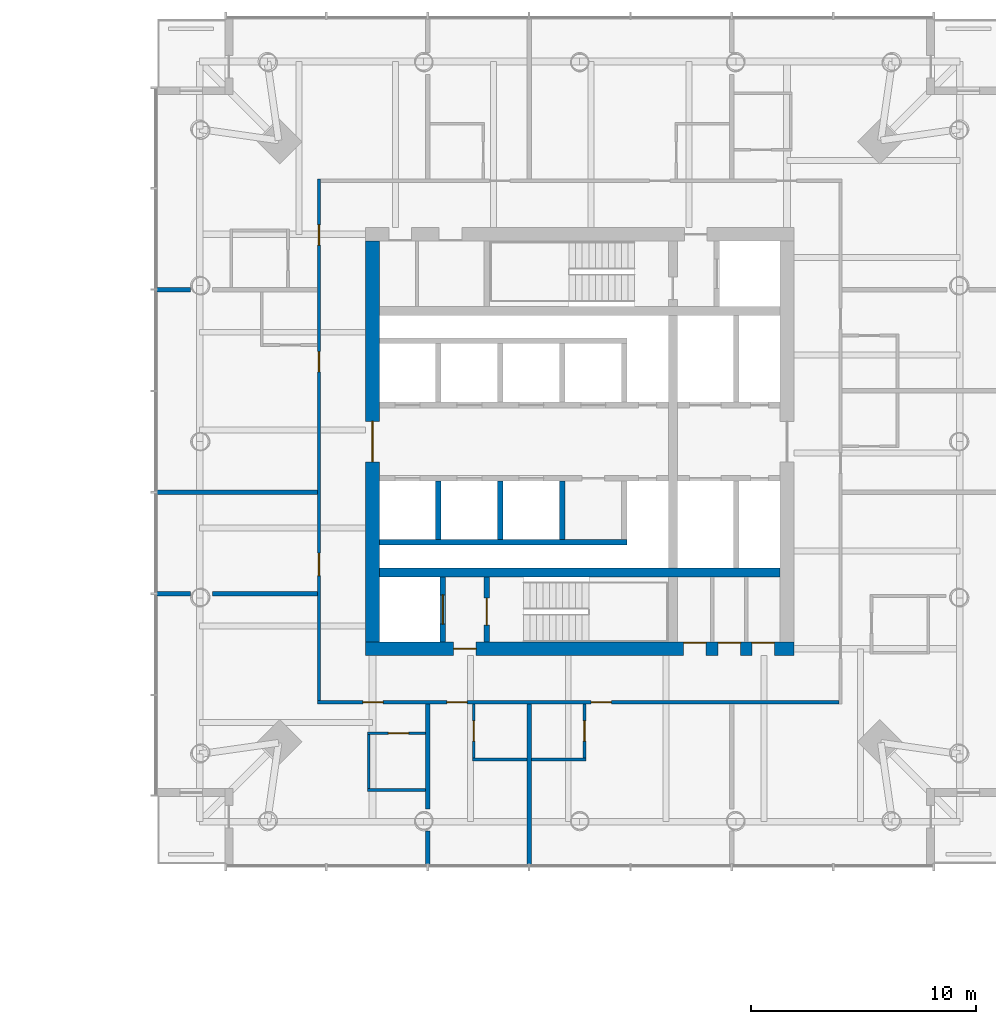
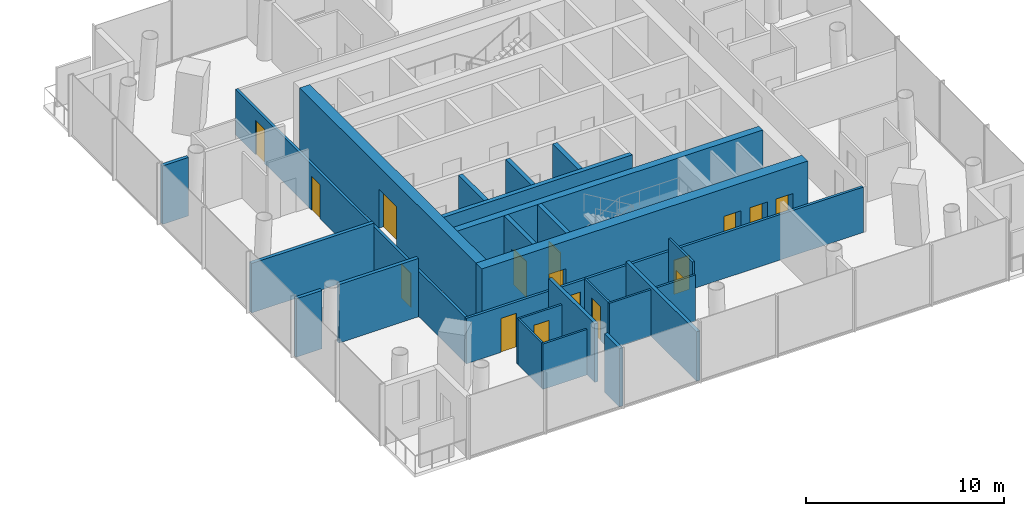
# One storey, part 12 of 18: 25 walls, 16 doors, 16 openings.
"""IFC4 building model written with IfcOpenShell, lengths in metres."""

from ifc_helpers import new_model, si_unit, direction, frame, frame_2d, origin, place, context, subcontext, project, spatial, rectangle, extrude, material, layer, layer_set, type_object, element, fill, save


model = new_model("IFC4")

# Units and contexts
model_context = context("Model", 3, precision=1e-05, world=origin(), true_north=direction((0.0, 1.0)))
body_context = subcontext(model_context, "Body", "Model", "MODEL_VIEW")
ifc_project = project(units=[si_unit("LENGTHUNIT", "METRE"), si_unit("AREAUNIT", "SQUARE_METRE"), si_unit("VOLUMEUNIT", "CUBIC_METRE"), si_unit("PLANEANGLEUNIT", "RADIAN"), si_unit("MASSUNIT", "GRAM", prefix="KILO")], contexts=[model_context])

# Site, building, storey
site_placement = place(None, origin())
site = spatial("IfcSite", under=ifc_project, at=site_placement, CompositionType="ELEMENT")
building_placement = place(site_placement, origin())
building = spatial("IfcBuilding", under=site, at=building_placement, Name="Ostroluk Exchange", CompositionType="ELEMENT")
storey_placement = place(building_placement, frame((0.0, 0.0, 70.39990234375)))
storey = spatial("IfcBuildingStorey", under=building, at=storey_placement, Name="L17", CompositionType="ELEMENT", Elevation=70.39990234375)

# Wall
ifc_material_1 = material(Name="Concrete C50/60", Category="concrete")
ifc_layer_1 = layer(ifc_material_1, 0.39990234375)
ifc_layer_set_1 = layer_set([ifc_layer_1], Name="Core cross wall 400 C50/60")
wall_type_1 = type_object("IfcWallType", Name="Core cross wall 400 C50/60", PredefinedType="SHEAR", material=ifc_layer_set_1)
wall_1_placement = place(storey_placement, frame((108.10009765625, 40.199951171875, 0.0), z_axis=(0.0, 0.0, 1.0), x_axis=(1.0, 0.0, 0.0)))
element("IfcWall", 1, at=wall_1_placement, inside=storey, type_object=wall_type_1, Name="T2 core wall XS", PredefinedType="SHEAR", context=body_context, shape_type="SweptSolid", body=[
    extrude(rectangle(XDim=17.7998046875, YDim=0.39990234375, at=frame_2d((8.89990234375, 0.0))), origin(), (0.0, 0.0, 1.0), 3.800048828125),
])

# Wall, opening, door
ifc_material_2 = material(Name="Concrete C40/50", Category="concrete")
ifc_layer_2 = layer(ifc_material_2, 0.25)
ifc_layer_set_2 = layer_set([ifc_layer_2], Name="Core shaft wall 250")
wall_type_2 = type_object("IfcWallType", Name="Core shaft wall 250", PredefinedType="SHEAR", material=ifc_layer_set_2)
wall_2_placement = place(storey_placement, frame((110.925048828125, 37.10009765625, 0.0), z_axis=(0.0, 0.0, 1.0), x_axis=(0.0, 1.0, 0.0)))
wall_2 = element("IfcWall", 2, at=wall_2_placement, inside=storey, type_object=wall_type_2, Name="Firefighting lift shaft wall", PredefinedType="SHEAR", context=body_context, shape_type="SweptSolid", body=[
    extrude(rectangle(XDim=2.89990234375, YDim=0.25, at=frame_2d((1.449951171875, 0.0))), origin(), (0.0, 0.0, 1.0), 3.800048828125),
])
opening_1_placement = place(wall_2_placement, frame((0.800048828125, 0.0, 0.0)))
opening_1 = element("IfcOpeningElement", 3, at=opening_1_placement, cuts=wall_2, Name="Opening LD2", PredefinedType="OPENING", context=body_context, shape_type="SweptSolid", body=[
    extrude(rectangle(XDim=1.300048828125, YDim=2.199951171875, at=frame_2d((0.64990234375, 1.10009765625))), frame((0.0, 0.135009765625, 0.0), z_axis=(0.0, -1.0, 0.0), x_axis=(1.0, 0.0, 0.0)), (0.0, 0.0, 1.0), 0.27001953125),
])
ifc_material_3 = material(Name="Stainless steel", Category="steel")
door_type_1 = type_object("IfcDoorType", Name="Lift landing door E 60 1300 x 2200", OperationType="DOUBLE_DOOR_SLIDING", PredefinedType="DOOR", material=ifc_material_3)
door_1_placement = place(opening_1_placement, origin())
door_1 = element("IfcDoor", 4, at=door_1_placement, inside=storey, type_object=door_type_1, Name="Lift HF1 landing door", OperationType="DOUBLE_DOOR_SLIDING", OverallHeight=2.199951171875, OverallWidth=1.300048828125, PredefinedType="DOOR", context=body_context, shape_type="SweptSolid", body=[
    extrude(rectangle(XDim=1.300048828125, YDim=2.199951171875, at=frame_2d((0.64990234375, 1.10009765625))), frame((0.0, 0.02490234375, 0.0), z_axis=(0.0, -1.0, 0.0), x_axis=(1.0, 0.0, 0.0)), (0.0, 0.0, 1.0), 0.050048828125),
])
fill(opening_1, door_1)

wall_3_placement = place(storey_placement, frame((112.875, 37.10009765625, 0.0), z_axis=(0.0, 0.0, 1.0), x_axis=(0.0, 1.0, 0.0)))
wall_3 = element("IfcWall", 5, at=wall_3_placement, inside=storey, type_object=wall_type_2, Name="Stair shaft wall", PredefinedType="SHEAR", context=body_context, shape_type="SweptSolid", body=[
    extrude(rectangle(XDim=2.89990234375, YDim=0.25, at=frame_2d((1.449951171875, 0.0))), origin(), (0.0, 0.0, 1.0), 3.800048828125),
])
opening_2_placement = place(wall_3_placement, frame((0.75, 0.0, 0.0)))
opening_2 = element("IfcOpeningElement", 6, at=opening_2_placement, cuts=wall_3, Name="Opening FD60S", PredefinedType="OPENING", context=body_context, shape_type="SweptSolid", body=[
    extrude(rectangle(XDim=1.199951171875, YDim=2.10009765625, at=frame_2d((0.60009765625, 1.050048828125))), frame((0.0, 0.135009765625, 0.0), z_axis=(0.0, -1.0, 0.0), x_axis=(1.0, 0.0, 0.0)), (0.0, 0.0, 1.0), 0.27001953125),
])
ifc_material_4 = material(Name="Steel", Category="steel")
door_type_2 = type_object("IfcDoorType", Name="Stair door EI 60 1200 x 2100", OperationType="SINGLE_SWING_LEFT", PredefinedType="DOOR", material=ifc_material_4)
door_2_placement = place(opening_2_placement, origin())
door_2 = element("IfcDoor", 7, at=door_2_placement, inside=storey, type_object=door_type_2, Name="Stair T2-S1 door", OperationType="SINGLE_SWING_LEFT", OverallHeight=2.10009765625, OverallWidth=1.199951171875, PredefinedType="DOOR", context=body_context, shape_type="SweptSolid", body=[
    extrude(rectangle(XDim=1.199951171875, YDim=2.10009765625, at=frame_2d((0.60009765625, 1.050048828125))), frame((0.0, 0.02490234375, 0.0), z_axis=(0.0, -1.0, 0.0), x_axis=(1.0, 0.0, 0.0)), (0.0, 0.0, 1.0), 0.050048828125),
])
fill(opening_2, door_2)

# Walls
for number, where, z_axis, x_axis, name in (
    (8, (110.72509765625, 44.25, 0.0), (0.0, 0.0, 1.0), (0.0, -1.0, 0.0), "Lift shaft wall"),
    (9, (113.47509765625, 44.25, 0.0), (0.0, 0.0, 1.0), (0.0, -1.0, 0.0), "Lift shaft wall"),
    (10, (116.22509765625, 44.25, 0.0), (0.0, 0.0, 1.0), (0.0, -1.0, 0.0), "Lift shaft wall"),
):
    element("IfcWall", number, at=place(storey_placement, frame(where, z_axis=z_axis, x_axis=x_axis)), inside=storey, type_object=wall_type_2, Name=name, PredefinedType="SHEAR", context=body_context, shape_type="SweptSolid", body=[
        extrude(rectangle(XDim=2.60009765625, YDim=0.25, at=frame_2d((1.300048828125, 0.0))), origin(), (0.0, 0.0, 1.0), 3.800048828125),
    ])
wall_4_placement = place(storey_placement, frame((108.10009765625, 41.52490234375, 0.0), z_axis=(0.0, 0.0, 1.0), x_axis=(1.0, 0.0, 0.0)))
element("IfcWall", 11, at=wall_4_placement, inside=storey, type_object=wall_type_2, Name="Lift shaft wall", PredefinedType="SHEAR", context=body_context, shape_type="SweptSolid", body=[
    extrude(rectangle(XDim=11.0, YDim=0.25, at=frame_2d((5.5, 0.0))), origin(), (0.0, 0.0, 1.0), 3.800048828125),
])

# Wall, openings, doors
ifc_material_5 = material(Name="Concrete C50/60", Category="concrete")
ifc_layer_3 = layer(ifc_material_5, 0.60009765625)
ifc_layer_set_3 = layer_set([ifc_layer_3], Name="Core wall 600 C50/60")
wall_type_3 = type_object("IfcWallType", Name="Core wall 600 C50/60", PredefinedType="SHEAR", material=ifc_layer_set_3)
wall_5_placement = place(storey_placement, frame((107.5, 36.800048828125, 0.0), z_axis=(0.0, 0.0, 1.0), x_axis=(1.0, 0.0, 0.0)))
wall_5 = element("IfcWall", 12, at=wall_5_placement, inside=storey, type_object=wall_type_3, Name="T2 core wall S", PredefinedType="SHEAR", context=body_context, shape_type="SweptSolid", body=[
    extrude(rectangle(XDim=19.0, YDim=0.60009765625, at=frame_2d((9.5, 0.0))), origin(), (0.0, 0.0, 1.0), 3.800048828125),
])
opening_3_placement = place(wall_5_placement, frame((3.89990234375, 0.0, 0.0)))
opening_3 = element("IfcOpeningElement", 13, at=opening_3_placement, cuts=wall_5, Name="Opening FD60", PredefinedType="OPENING", context=body_context, shape_type="SweptSolid", body=[
    extrude(rectangle(XDim=1.0, YDim=2.10009765625, at=frame_2d((0.5, 1.050048828125))), frame((0.0, 0.31005859375, 0.0), z_axis=(0.0, -1.0, 0.0), x_axis=(1.0, 0.0, 0.0)), (0.0, 0.0, 1.0), 0.6201171875),
])
opening_4_placement = place(wall_5_placement, frame((14.10693359375, 0.0, 0.0)))
opening_4 = element("IfcOpeningElement", 14, at=opening_4_placement, cuts=wall_5, Name="Opening FD60", PredefinedType="OPENING", context=body_context, shape_type="SweptSolid", body=[
    extrude(rectangle(XDim=1.0, YDim=2.10009765625, at=frame_2d((0.5, 1.050048828125))), frame((0.0, 0.31005859375, 0.0), z_axis=(0.0, -1.0, 0.0), x_axis=(1.0, 0.0, 0.0)), (0.0, 0.0, 1.0), 0.6201171875),
])
opening_5_placement = place(wall_5_placement, frame((15.637939453125, 0.0, 0.0)))
opening_5 = element("IfcOpeningElement", 15, at=opening_5_placement, cuts=wall_5, Name="Opening FD60", PredefinedType="OPENING", context=body_context, shape_type="SweptSolid", body=[
    extrude(rectangle(XDim=1.0, YDim=2.10009765625, at=frame_2d((0.5, 1.050048828125))), frame((0.0, 0.31005859375, 0.0), z_axis=(0.0, -1.0, 0.0), x_axis=(1.0, 0.0, 0.0)), (0.0, 0.0, 1.0), 0.6201171875),
])
opening_6_placement = place(wall_5_placement, frame((17.141845703125, 0.0, 0.0)))
opening_6 = element("IfcOpeningElement", 16, at=opening_6_placement, cuts=wall_5, Name="Opening FD60", PredefinedType="OPENING", context=body_context, shape_type="SweptSolid", body=[
    extrude(rectangle(XDim=1.0, YDim=2.10009765625, at=frame_2d((0.5, 1.050048828125))), frame((0.0, 0.31005859375, 0.0), z_axis=(0.0, -1.0, 0.0), x_axis=(1.0, 0.0, 0.0)), (0.0, 0.0, 1.0), 0.6201171875),
])
ifc_material_6 = material(Name="Steel", Category="steel")
door_type_3 = type_object("IfcDoorType", Name="Fire door EI 60 1000 x 2100", OperationType="SINGLE_SWING_LEFT", PredefinedType="DOOR", material=ifc_material_6)
door_3_placement = place(opening_3_placement, origin())
door_3 = element("IfcDoor", 17, at=door_3_placement, inside=storey, type_object=door_type_3, Name="Firefighting lobby door", OperationType="SINGLE_SWING_LEFT", OverallHeight=2.10009765625, OverallWidth=1.0, PredefinedType="DOOR", context=body_context, shape_type="SweptSolid", body=[
    extrude(rectangle(XDim=1.0, YDim=2.10009765625, at=frame_2d((0.5, 1.050048828125))), frame((0.0, 0.02490234375, 0.0), z_axis=(0.0, -1.0, 0.0), x_axis=(1.0, 0.0, 0.0)), (0.0, 0.0, 1.0), 0.050048828125),
])
fill(opening_3, door_3)
door_4_placement = place(opening_4_placement, origin())
door_4 = element("IfcDoor", 18, at=door_4_placement, inside=storey, type_object=door_type_3, Name="Linen store door", OperationType="SINGLE_SWING_RIGHT", OverallHeight=2.10009765625, OverallWidth=1.0, PredefinedType="DOOR", context=body_context, shape_type="SweptSolid", body=[
    extrude(rectangle(XDim=1.0, YDim=2.10009765625, at=frame_2d((0.5, 1.050048828125))), frame((0.0, 0.2900390625, 0.0), z_axis=(0.0, -1.0, 0.0), x_axis=(1.0, 0.0, 0.0)), (0.0, 0.0, 1.0), 0.050048828125),
])
fill(opening_4, door_4)
door_5_placement = place(opening_5_placement, origin())
door_5 = element("IfcDoor", 19, at=door_5_placement, inside=storey, type_object=door_type_3, Name="Housekeeping store door", OperationType="SINGLE_SWING_RIGHT", OverallHeight=2.10009765625, OverallWidth=1.0, PredefinedType="DOOR", context=body_context, shape_type="SweptSolid", body=[
    extrude(rectangle(XDim=1.0, YDim=2.10009765625, at=frame_2d((0.5, 1.050048828125))), frame((0.0, 0.2900390625, 0.0), z_axis=(0.0, -1.0, 0.0), x_axis=(1.0, 0.0, 0.0)), (0.0, 0.0, 1.0), 0.050048828125),
])
fill(opening_5, door_5)
door_6_placement = place(opening_6_placement, origin())
door_6 = element("IfcDoor", 20, at=door_6_placement, inside=storey, type_object=door_type_3, Name="Luggage store door", OperationType="SINGLE_SWING_RIGHT", OverallHeight=2.10009765625, OverallWidth=1.0, PredefinedType="DOOR", context=body_context, shape_type="SweptSolid", body=[
    extrude(rectangle(XDim=1.0, YDim=2.10009765625, at=frame_2d((0.5, 1.050048828125))), frame((0.0, 0.2900390625, 0.0), z_axis=(0.0, -1.0, 0.0), x_axis=(1.0, 0.0, 0.0)), (0.0, 0.0, 1.0), 0.050048828125),
])
fill(opening_6, door_6)

# Wall, opening, door
wall_6_placement = place(storey_placement, frame((107.800048828125, 37.10009765625, 0.0), z_axis=(0.0, 0.0, 1.0), x_axis=(0.0, 1.0, 0.0)))
wall_6 = element("IfcWall", 21, at=wall_6_placement, inside=storey, type_object=wall_type_3, Name="T2 core wall W", PredefinedType="SHEAR", context=body_context, shape_type="SweptSolid", body=[
    extrude(rectangle(XDim=17.7998046875, YDim=0.60009765625, at=frame_2d((8.89990234375, 0.0))), origin(), (0.0, 0.0, 1.0), 3.800048828125),
])
opening_7_placement = place(wall_6_placement, frame((8.0, 0.0, 0.0)))
opening_7 = element("IfcOpeningElement", 22, at=opening_7_placement, cuts=wall_6, Name="Opening FD30D", PredefinedType="OPENING", context=body_context, shape_type="SweptSolid", body=[
    extrude(rectangle(XDim=1.800048828125, YDim=2.39990234375, at=frame_2d((0.89990234375, 1.199951171875))), frame((0.0, 0.31005859375, 0.0), z_axis=(0.0, -1.0, 0.0), x_axis=(1.0, 0.0, 0.0)), (0.0, 0.0, 1.0), 0.6201171875),
])
ifc_material_7 = material(Name="Timber", Category="wood")
door_type_4 = type_object("IfcDoorType", Name="Lobby double door EI 30 1800 x 2400", OperationType="DOUBLE_DOOR_SINGLE_SWING", PredefinedType="DOOR", material=ifc_material_7)
door_7_placement = place(opening_7_placement, origin())
door_7 = element("IfcDoor", 23, at=door_7_placement, inside=storey, type_object=door_type_4, Name="Lift lobby doors", OperationType="DOUBLE_DOOR_SINGLE_SWING", OverallHeight=2.39990234375, OverallWidth=1.800048828125, PredefinedType="DOOR", context=body_context, shape_type="SweptSolid", body=[
    extrude(rectangle(XDim=1.800048828125, YDim=2.39990234375, at=frame_2d((0.89990234375, 1.199951171875))), frame((0.0, 0.02490234375, 0.0), z_axis=(0.0, -1.0, 0.0), x_axis=(1.0, 0.0, 0.0)), (0.0, 0.0, 1.0), 0.050048828125),
])
fill(opening_7, door_7)

ifc_material_8 = material(Name="Gypsum plasterboard partition, moisture resistant", Category="gypsum")
ifc_layer_4 = layer(ifc_material_8, 0.1201171875)
ifc_layer_set_4 = layer_set([ifc_layer_4], Name="Plasterboard en-suite wall 120")
wall_type_4 = type_object("IfcWallType", Name="Plasterboard en-suite wall 120", PredefinedType="PARTITIONING", material=ifc_layer_set_4)
wall_7_placement = place(storey_placement, frame((110.14990234375, 33.050048828125, 0.0), z_axis=(0.0, 0.0, 1.0), x_axis=(-1.0, 0.0, 0.0)))
wall_7 = element("IfcWall", 24, at=wall_7_placement, inside=storey, type_object=wall_type_4, Name="En-suite wall", PredefinedType="PARTITIONING", context=body_context, shape_type="SweptSolid", body=[
    extrude(rectangle(XDim=2.579833984375, YDim=0.1201171875, at=frame_2d((1.2900390625, 0.0))), origin(), (0.0, 0.0, 1.0), 2.800048828125),
])
opening_8_placement = place(wall_7_placement, frame((0.75, 0.0, 0.0)))
opening_8 = element("IfcOpeningElement", 25, at=opening_8_placement, cuts=wall_7, Name="Opening D-02", PredefinedType="OPENING", context=body_context, shape_type="SweptSolid", body=[
    extrude(rectangle(XDim=0.89990234375, YDim=2.10009765625, at=frame_2d((0.449951171875, 1.050048828125))), frame((0.0, 0.070068359375, 0.0), z_axis=(0.0, -1.0, 0.0), x_axis=(1.0, 0.0, 0.0)), (0.0, 0.0, 1.0), 0.14013671875),
])
ifc_material_9 = material(Name="Timber", Category="wood")
door_type_5 = type_object("IfcDoorType", Name="En-suite door 900 x 2100", OperationType="SINGLE_SWING_LEFT", PredefinedType="DOOR", material=ifc_material_9)
door_8_placement = place(opening_8_placement, origin())
door_8 = element("IfcDoor", 26, at=door_8_placement, inside=storey, type_object=door_type_5, Name="En-suite door 1709", OperationType="SINGLE_SWING_LEFT", OverallHeight=2.10009765625, OverallWidth=0.89990234375, PredefinedType="DOOR", context=body_context, shape_type="SweptSolid", body=[
    extrude(rectangle(XDim=0.89990234375, YDim=2.10009765625, at=frame_2d((0.449951171875, 1.050048828125))), frame((0.0, 0.02490234375, 0.0), z_axis=(0.0, -1.0, 0.0), x_axis=(1.0, 0.0, 0.0)), (0.0, 0.0, 1.0), 0.050048828125),
])
fill(opening_8, door_8)

# Walls
wall_8_placement = place(storey_placement, frame((110.14990234375, 30.530029296875, 0.0), z_axis=(0.0, 0.0, 1.0), x_axis=(-1.0, 0.0, 0.0)))
element("IfcWall", 27, at=wall_8_placement, inside=storey, type_object=wall_type_4, Name="En-suite wall", PredefinedType="PARTITIONING", context=body_context, shape_type="SweptSolid", body=[
    extrude(rectangle(XDim=2.579833984375, YDim=0.1201171875, at=frame_2d((1.2900390625, 0.0))), origin(), (0.0, 0.0, 1.0), 2.800048828125),
])
wall_9_placement = place(storey_placement, frame((107.6298828125, 32.989990234375, 0.0), z_axis=(0.0, 0.0, 1.0), x_axis=(0.0, -1.0, 0.0)))
element("IfcWall", 28, at=wall_9_placement, inside=storey, type_object=wall_type_4, Name="En-suite wall", PredefinedType="PARTITIONING", context=body_context, shape_type="SweptSolid", body=[
    extrude(rectangle(XDim=2.39990234375, YDim=0.1201171875, at=frame_2d((1.199951171875, 0.0))), origin(), (0.0, 0.0, 1.0), 2.800048828125),
])
wall_10_placement = place(storey_placement, frame((112.22998046875, 31.889892578125, 0.0), z_axis=(0.0, 0.0, 1.0), x_axis=(1.0, 0.0, 0.0)))
element("IfcWall", 29, at=wall_10_placement, inside=storey, type_object=wall_type_4, Name="En-suite wall", PredefinedType="PARTITIONING", context=body_context, shape_type="SweptSolid", body=[
    extrude(rectangle(XDim=2.419921875, YDim=0.1201171875, at=frame_2d((1.2099609375, 0.0))), origin(), (0.0, 0.0, 1.0), 2.84716796875),
])

# Wall, opening, door
wall_11_placement = place(storey_placement, frame((112.2900390625, 34.35009765625, 0.0), z_axis=(0.0, 0.0, 1.0), x_axis=(0.0, -1.0, 0.0)))
wall_11 = element("IfcWall", 30, at=wall_11_placement, inside=storey, type_object=wall_type_4, Name="En-suite wall", PredefinedType="PARTITIONING", context=body_context, shape_type="SweptSolid", body=[
    extrude(rectangle(XDim=2.400146484375, YDim=0.1201171875, at=frame_2d((1.2001953125, 0.0))), origin(), (0.0, 0.0, 1.0), 2.84716796875),
])
opening_9_placement = place(wall_11_placement, frame((0.75, 0.0, 0.0)))
opening_9 = element("IfcOpeningElement", 31, at=opening_9_placement, cuts=wall_11, Name="Opening D-02", PredefinedType="OPENING", context=body_context, shape_type="SweptSolid", body=[
    extrude(rectangle(XDim=0.89990234375, YDim=2.10009765625, at=frame_2d((0.449951171875, 1.050048828125))), frame((0.0, 0.070068359375, 0.0), z_axis=(0.0, -1.0, 0.0), x_axis=(1.0, 0.0, 0.0)), (0.0, 0.0, 1.0), 0.14013671875),
])
door_9_placement = place(opening_9_placement, origin())
door_9 = element("IfcDoor", 32, at=door_9_placement, inside=storey, type_object=door_type_5, Name="En-suite door 1710", OperationType="SINGLE_SWING_LEFT", OverallHeight=2.10009765625, OverallWidth=0.89990234375, PredefinedType="DOOR", context=body_context, shape_type="SweptSolid", body=[
    extrude(rectangle(XDim=0.89990234375, YDim=2.10009765625, at=frame_2d((0.449951171875, 1.050048828125))), frame((0.0, 0.02490234375, 0.0), z_axis=(0.0, -1.0, 0.0), x_axis=(1.0, 0.0, 0.0)), (0.0, 0.0, 1.0), 0.050048828125),
])
fill(opening_9, door_9)

# Wall
wall_12_placement = place(storey_placement, frame((114.85009765625, 31.889892578125, 0.0), z_axis=(0.0, 0.0, 1.0), x_axis=(1.0, 0.0, 0.0)))
element("IfcWall", 33, at=wall_12_placement, inside=storey, type_object=wall_type_4, Name="En-suite wall", PredefinedType="PARTITIONING", context=body_context, shape_type="SweptSolid", body=[
    extrude(rectangle(XDim=2.419921875, YDim=0.1201171875, at=frame_2d((1.2099609375, 0.0))), origin(), (0.0, 0.0, 1.0), 2.84716796875),
])

# Wall, opening, door
wall_13_placement = place(storey_placement, frame((117.2099609375, 34.35009765625, 0.0), z_axis=(0.0, 0.0, 1.0), x_axis=(0.0, -1.0, 0.0)))
wall_13 = element("IfcWall", 34, at=wall_13_placement, inside=storey, type_object=wall_type_4, Name="En-suite wall", PredefinedType="PARTITIONING", context=body_context, shape_type="SweptSolid", body=[
    extrude(rectangle(XDim=2.400146484375, YDim=0.1201171875, at=frame_2d((1.2001953125, 0.0))), origin(), (0.0, 0.0, 1.0), 3.60009765625),
])
opening_10_placement = place(wall_13_placement, frame((0.75, 0.0, 0.0)))
opening_10 = element("IfcOpeningElement", 35, at=opening_10_placement, cuts=wall_13, Name="Opening D-02", PredefinedType="OPENING", context=body_context, shape_type="SweptSolid", body=[
    extrude(rectangle(XDim=0.89990234375, YDim=2.10009765625, at=frame_2d((0.449951171875, 1.050048828125))), frame((0.0, 0.070068359375, 0.0), z_axis=(0.0, -1.0, 0.0), x_axis=(1.0, 0.0, 0.0)), (0.0, 0.0, 1.0), 0.14013671875),
])
door_10_placement = place(opening_10_placement, origin())
door_10 = element("IfcDoor", 36, at=door_10_placement, inside=storey, type_object=door_type_5, Name="En-suite door 1711", OperationType="SINGLE_SWING_LEFT", OverallHeight=2.10009765625, OverallWidth=0.89990234375, PredefinedType="DOOR", context=body_context, shape_type="SweptSolid", body=[
    extrude(rectangle(XDim=0.89990234375, YDim=2.10009765625, at=frame_2d((0.449951171875, 1.050048828125))), frame((0.0, 0.02490234375, 0.0), z_axis=(0.0, -1.0, 0.0), x_axis=(1.0, 0.0, 0.0)), (0.0, 0.0, 1.0), 0.050048828125),
])
fill(opening_10, door_10)

# Wall, openings, doors
ifc_material_10 = material(Name="Gypsum plasterboard partition", Category="gypsum")
ifc_layer_5 = layer(ifc_material_10, 0.14990234375)
ifc_layer_set_5 = layer_set([ifc_layer_5], Name="Plasterboard partition 150")
wall_type_5 = type_object("IfcWallType", Name="Plasterboard partition 150", PredefinedType="PARTITIONING", material=ifc_layer_set_5)
wall_14_placement = place(storey_placement, frame((105.425048828125, 57.64990234375, 0.0), z_axis=(0.0, 0.0, 1.0), x_axis=(0.0, -1.0, 0.0)))
wall_14 = element("IfcWall", 37, at=wall_14_placement, inside=storey, type_object=wall_type_5, Name="Corridor wall", PredefinedType="PARTITIONING", context=body_context, shape_type="SweptSolid", body=[
    extrude(rectangle(XDim=23.14990234375, YDim=0.14990234375, at=frame_2d((11.574951171875, 0.0))), origin(), (0.0, 0.0, 1.0), 2.800048828125),
])
opening_11_placement = place(wall_14_placement, frame((2.02490234375, 0.0, 0.0)))
opening_11 = element("IfcOpeningElement", 38, at=opening_11_placement, cuts=wall_14, Name="Opening D-01", PredefinedType="OPENING", context=body_context, shape_type="SweptSolid", body=[
    extrude(rectangle(XDim=0.89990234375, YDim=2.10009765625, at=frame_2d((0.449951171875, 1.050048828125))), frame((0.0, 0.0849609375, 0.0), z_axis=(0.0, -1.0, 0.0), x_axis=(1.0, 0.0, 0.0)), (0.0, 0.0, 1.0), 0.169921875),
])
opening_12_placement = place(wall_14_placement, frame((7.64990234375, 0.0, 0.0)))
opening_12 = element("IfcOpeningElement", 39, at=opening_12_placement, cuts=wall_14, Name="Opening D-01", PredefinedType="OPENING", context=body_context, shape_type="SweptSolid", body=[
    extrude(rectangle(XDim=0.89990234375, YDim=2.10009765625, at=frame_2d((0.449951171875, 1.050048828125))), frame((0.0, 0.0849609375, 0.0), z_axis=(0.0, -1.0, 0.0), x_axis=(1.0, 0.0, 0.0)), (0.0, 0.0, 1.0), 0.169921875),
])
opening_13_placement = place(wall_14_placement, frame((16.60009765625, 0.0, 0.0)))
opening_13 = element("IfcOpeningElement", 40, at=opening_13_placement, cuts=wall_14, Name="Opening D-03", PredefinedType="OPENING", context=body_context, shape_type="SweptSolid", body=[
    extrude(rectangle(XDim=1.0, YDim=2.10009765625, at=frame_2d((0.5, 1.050048828125))), frame((0.0, 0.0849609375, 0.0), z_axis=(0.0, -1.0, 0.0), x_axis=(1.0, 0.0, 0.0)), (0.0, 0.0, 1.0), 0.169921875),
])
ifc_material_11 = material(Name="Timber", Category="wood")
door_type_6 = type_object("IfcDoorType", Name="Hotel room door EI 30 Sa 900 x 2100", OperationType="SINGLE_SWING_LEFT", PredefinedType="DOOR", material=ifc_material_11)
door_11_placement = place(opening_11_placement, origin())
door_11 = element("IfcDoor", 41, at=door_11_placement, inside=storey, type_object=door_type_6, Name="Room door 1707", OperationType="SINGLE_SWING_LEFT", OverallHeight=2.10009765625, OverallWidth=0.89990234375, PredefinedType="DOOR", context=body_context, shape_type="SweptSolid", body=[
    extrude(rectangle(XDim=0.89990234375, YDim=2.10009765625, at=frame_2d((0.449951171875, 1.050048828125))), frame((0.0, 0.02490234375, 0.0), z_axis=(0.0, -1.0, 0.0), x_axis=(1.0, 0.0, 0.0)), (0.0, 0.0, 1.0), 0.050048828125),
])
fill(opening_11, door_11)
door_12_placement = place(opening_12_placement, origin())
door_12 = element("IfcDoor", 42, at=door_12_placement, inside=storey, type_object=door_type_6, Name="Room door 1708", OperationType="SINGLE_SWING_LEFT", OverallHeight=2.10009765625, OverallWidth=0.89990234375, PredefinedType="DOOR", context=body_context, shape_type="SweptSolid", body=[
    extrude(rectangle(XDim=0.89990234375, YDim=2.10009765625, at=frame_2d((0.449951171875, 1.050048828125))), frame((0.0, 0.02490234375, 0.0), z_axis=(0.0, -1.0, 0.0), x_axis=(1.0, 0.0, 0.0)), (0.0, 0.0, 1.0), 0.050048828125),
])
fill(opening_12, door_12)
ifc_material_12 = material(Name="Timber", Category="wood")
door_type_7 = type_object("IfcDoorType", Name="Internal door 1000 x 2100", OperationType="SINGLE_SWING_LEFT", PredefinedType="DOOR", material=ifc_material_12)
door_13_placement = place(opening_13_placement, origin())
door_13 = element("IfcDoor", 43, at=door_13_placement, inside=storey, type_object=door_type_7, Name="Housekeeping store door", OperationType="SINGLE_SWING_RIGHT", OverallHeight=2.10009765625, OverallWidth=1.0, PredefinedType="DOOR", context=body_context, shape_type="SweptSolid", body=[
    extrude(rectangle(XDim=1.0, YDim=2.10009765625, at=frame_2d((0.5, 1.050048828125))), frame((0.0, 0.02490234375, 0.0), z_axis=(0.0, -1.0, 0.0), x_axis=(1.0, 0.0, 0.0)), (0.0, 0.0, 1.0), 0.050048828125),
])
fill(opening_13, door_13)

wall_15_placement = place(storey_placement, frame((105.35009765625, 34.425048828125, 0.0), z_axis=(0.0, 0.0, 1.0), x_axis=(1.0, 0.0, 0.0)))
wall_15 = element("IfcWall", 44, at=wall_15_placement, inside=storey, type_object=wall_type_5, Name="Corridor wall", PredefinedType="PARTITIONING", context=body_context, shape_type="SweptSolid", body=[
    extrude(rectangle(XDim=23.14990234375, YDim=0.14990234375, at=frame_2d((11.574951171875, 0.0))), origin(), (0.0, 0.0, 1.0), 2.800048828125),
])
opening_14_placement = place(wall_15_placement, frame((2.02490234375, 0.0, 0.0)))
opening_14 = element("IfcOpeningElement", 45, at=opening_14_placement, cuts=wall_15, Name="Opening D-01", PredefinedType="OPENING", context=body_context, shape_type="SweptSolid", body=[
    extrude(rectangle(XDim=0.89990234375, YDim=2.10009765625, at=frame_2d((0.449951171875, 1.050048828125))), frame((0.0, 0.0849609375, 0.0), z_axis=(0.0, -1.0, 0.0), x_axis=(1.0, 0.0, 0.0)), (0.0, 0.0, 1.0), 0.169921875),
])
opening_15_placement = place(wall_15_placement, frame((5.75, 0.0, 0.0)))
opening_15 = element("IfcOpeningElement", 46, at=opening_15_placement, cuts=wall_15, Name="Opening D-01", PredefinedType="OPENING", context=body_context, shape_type="SweptSolid", body=[
    extrude(rectangle(XDim=0.89990234375, YDim=2.10009765625, at=frame_2d((0.449951171875, 1.050048828125))), frame((0.0, 0.0849609375, 0.0), z_axis=(0.0, -1.0, 0.0), x_axis=(1.0, 0.0, 0.0)), (0.0, 0.0, 1.0), 0.169921875),
])
opening_16_placement = place(wall_15_placement, frame((12.14990234375, 0.0, 0.0)))
opening_16 = element("IfcOpeningElement", 47, at=opening_16_placement, cuts=wall_15, Name="Opening D-01", PredefinedType="OPENING", context=body_context, shape_type="SweptSolid", body=[
    extrude(rectangle(XDim=0.89990234375, YDim=2.10009765625, at=frame_2d((0.449951171875, 1.050048828125))), frame((0.0, 0.0849609375, 0.0), z_axis=(0.0, -1.0, 0.0), x_axis=(1.0, 0.0, 0.0)), (0.0, 0.0, 1.0), 0.169921875),
])
door_14_placement = place(opening_14_placement, origin())
door_14 = element("IfcDoor", 48, at=door_14_placement, inside=storey, type_object=door_type_6, Name="Room door 1709", OperationType="SINGLE_SWING_LEFT", OverallHeight=2.10009765625, OverallWidth=0.89990234375, PredefinedType="DOOR", context=body_context, shape_type="SweptSolid", body=[
    extrude(rectangle(XDim=0.89990234375, YDim=2.10009765625, at=frame_2d((0.449951171875, 1.050048828125))), frame((0.0, 0.02490234375, 0.0), z_axis=(0.0, -1.0, 0.0), x_axis=(1.0, 0.0, 0.0)), (0.0, 0.0, 1.0), 0.050048828125),
])
fill(opening_14, door_14)
door_15_placement = place(opening_15_placement, origin())
door_15 = element("IfcDoor", 49, at=door_15_placement, inside=storey, type_object=door_type_6, Name="Room door 1710", OperationType="SINGLE_SWING_LEFT", OverallHeight=2.10009765625, OverallWidth=0.89990234375, PredefinedType="DOOR", context=body_context, shape_type="SweptSolid", body=[
    extrude(rectangle(XDim=0.89990234375, YDim=2.10009765625, at=frame_2d((0.449951171875, 1.050048828125))), frame((0.0, 0.02490234375, 0.0), z_axis=(0.0, -1.0, 0.0), x_axis=(1.0, 0.0, 0.0)), (0.0, 0.0, 1.0), 0.050048828125),
])
fill(opening_15, door_15)
door_16_placement = place(opening_16_placement, origin())
door_16 = element("IfcDoor", 50, at=door_16_placement, inside=storey, type_object=door_type_6, Name="Room door 1711", OperationType="SINGLE_SWING_RIGHT", OverallHeight=2.10009765625, OverallWidth=0.89990234375, PredefinedType="DOOR", context=body_context, shape_type="SweptSolid", body=[
    extrude(rectangle(XDim=0.89990234375, YDim=2.10009765625, at=frame_2d((0.449951171875, 1.050048828125))), frame((0.0, 0.02490234375, 0.0), z_axis=(0.0, -1.0, 0.0), x_axis=(1.0, 0.0, 0.0)), (0.0, 0.0, 1.0), 0.050048828125),
])
fill(opening_16, door_16)

# Walls
ifc_material_13 = material(Name="Gypsum plasterboard partition", Category="gypsum")
ifc_layer_6 = layer(ifc_material_13, 0.199951171875)
ifc_layer_set_6 = layer_set([ifc_layer_6], Name="Plasterboard party wall 200")
wall_type_6 = type_object("IfcWallType", Name="Plasterboard party wall 200", PredefinedType="PARTITIONING", material=ifc_layer_set_6)
wall_16_placement = place(storey_placement, frame((99.722900390625, 52.75, 0.0), z_axis=(0.0, 0.0, 1.0), x_axis=(-1.0, 0.0, 0.0)))
element("IfcWall", 51, at=wall_16_placement, inside=storey, type_object=wall_type_6, Name="Party wall", PredefinedType="PARTITIONING", context=body_context, shape_type="SweptSolid", body=[
    extrude(rectangle(XDim=1.512939453125, YDim=0.199951171875, at=frame_2d((0.75634765625, 0.0))), origin(), (0.0, 0.0, 1.0), 3.60009765625),
])
wall_17_placement = place(storey_placement, frame((105.35009765625, 43.75, 0.0), z_axis=(0.0, 0.0, 1.0), x_axis=(-1.0, 0.0, 0.0)))
element("IfcWall", 52, at=wall_17_placement, inside=storey, type_object=wall_type_6, Name="Party wall", PredefinedType="PARTITIONING", context=body_context, shape_type="SweptSolid", body=[
    extrude(rectangle(XDim=7.14013671875, YDim=0.199951171875, at=frame_2d((3.570068359375, 0.0))), origin(), (0.0, 0.0, 1.0), 3.050048828125),
])
wall_18_placement = place(storey_placement, frame((105.35009765625, 39.25, 0.0), z_axis=(0.0, 0.0, 1.0), x_axis=(-1.0, 0.0, 0.0)))
element("IfcWall", 53, at=wall_18_placement, inside=storey, type_object=wall_type_6, Name="Party wall", PredefinedType="PARTITIONING", context=body_context, shape_type="SweptSolid", body=[
    extrude(rectangle(XDim=4.650390625, YDim=0.199951171875, at=frame_2d((2.3251953125, 0.0))), origin(), (0.0, 0.0, 1.0), 3.60009765625),
])
wall_19_placement = place(storey_placement, frame((99.722900390625, 39.25, 0.0), z_axis=(0.0, 0.0, 1.0), x_axis=(-1.0, 0.0, 0.0)))
element("IfcWall", 54, at=wall_19_placement, inside=storey, type_object=wall_type_6, Name="Party wall", PredefinedType="PARTITIONING", context=body_context, shape_type="SweptSolid", body=[
    extrude(rectangle(XDim=1.512939453125, YDim=0.199951171875, at=frame_2d((0.75634765625, 0.0))), origin(), (0.0, 0.0, 1.0), 3.60009765625),
])
wall_20_placement = place(storey_placement, frame((110.25, 34.35009765625, 0.0), z_axis=(0.0, 0.0, 1.0), x_axis=(0.0, -1.0, 0.0)))
element("IfcWall", 55, at=wall_20_placement, inside=storey, type_object=wall_type_6, Name="Party wall", PredefinedType="PARTITIONING", context=body_context, shape_type="SweptSolid", body=[
    extrude(rectangle(XDim=4.650390625, YDim=0.199951171875, at=frame_2d((2.3251953125, 0.0))), origin(), (0.0, 0.0, 1.0), 3.60009765625),
])
wall_21_placement = place(storey_placement, frame((110.25, 28.722900390625, 0.0), z_axis=(0.0, 0.0, 1.0), x_axis=(0.0, -1.0, 0.0)))
element("IfcWall", 56, at=wall_21_placement, inside=storey, type_object=wall_type_6, Name="Party wall", PredefinedType="PARTITIONING", context=body_context, shape_type="SweptSolid", body=[
    extrude(rectangle(XDim=1.512939453125, YDim=0.199951171875, at=frame_2d((0.75634765625, 0.0))), origin(), (0.0, 0.0, 1.0), 3.60009765625),
])
wall_22_placement = place(storey_placement, frame((114.75, 34.35009765625, 0.0), z_axis=(0.0, 0.0, 1.0), x_axis=(0.0, -1.0, 0.0)))
element("IfcWall", 57, at=wall_22_placement, inside=storey, type_object=wall_type_6, Name="Party wall", PredefinedType="PARTITIONING", context=body_context, shape_type="SweptSolid", body=[
    extrude(rectangle(XDim=7.14013671875, YDim=0.199951171875, at=frame_2d((3.570068359375, 0.0))), origin(), (0.0, 0.0, 1.0), 3.050048828125),
])

save(model, "model.ifc")
